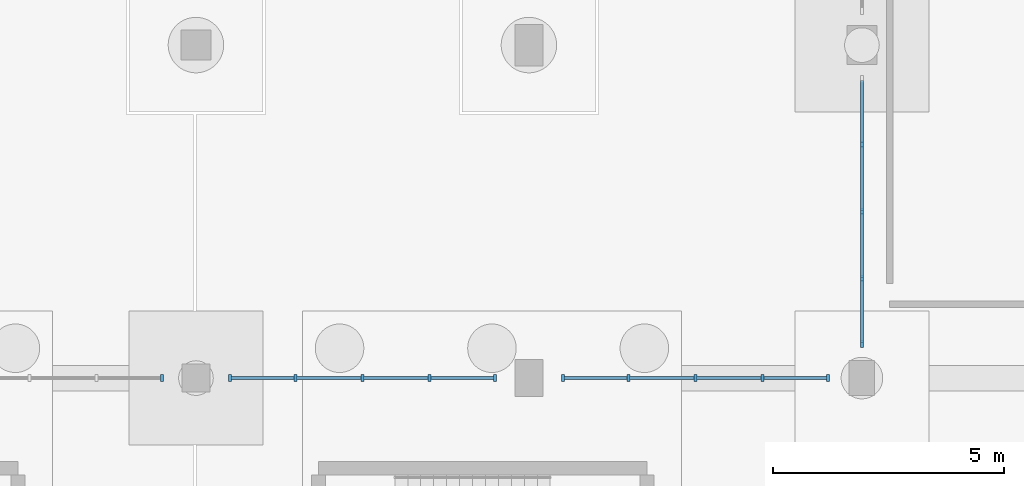
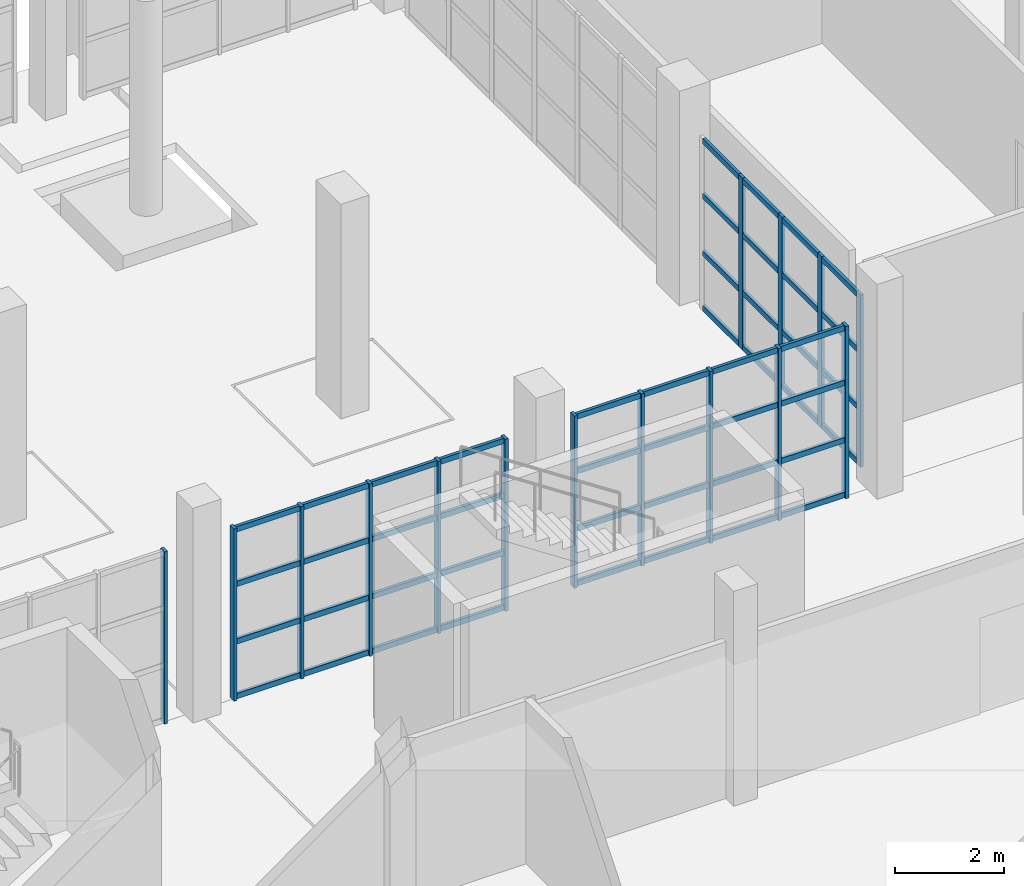
# One storey, part 111 of 285: 63 members, 4 elements without a shape of their own.
"""IFC4 building model written with IfcOpenShell, lengths in metres."""

from ifc_helpers import new_model, si_unit, direction, frame, origin, origin_2d, place, context, subcontext, project, spatial, rectangle, extrude, material, material_profile, profile_set, type_object, element, aggregate, save


model = new_model("IFC4")

# Units and contexts
model_context = context("Model", 3, precision=1e-05, world=origin(), true_north=direction((0.0, 1.0)))
body_context = subcontext(model_context, "Body", "Model", "MODEL_VIEW")
ifc_project = project(units=[si_unit("LENGTHUNIT", "METRE"), si_unit("AREAUNIT", "SQUARE_METRE"), si_unit("VOLUMEUNIT", "CUBIC_METRE"), si_unit("PLANEANGLEUNIT", "RADIAN"), si_unit("MASSUNIT", "GRAM", prefix="KILO")], contexts=[model_context])

# Site, building, storey
site_placement = place(None, origin())
site = spatial("IfcSite", under=ifc_project, at=site_placement, CompositionType="ELEMENT")
building_placement = place(site_placement, origin())
building = spatial("IfcBuilding", under=site, at=building_placement, Name="Solanera Park Tramway Depot", CompositionType="ELEMENT")
storey_placement = place(building_placement, origin())
storey = spatial("IfcBuildingStorey", under=building, at=storey_placement, Name="L00", CompositionType="ELEMENT", Elevation=0.0)

# Curtain wall, member
ifc_material_1 = material(Name="Bronze-anodised thermally broken aluminium curtain wall", Category="aluminium")
curtain_wall_type = type_object("IfcCurtainWallType", Name="Courtyard Cloister Unitised Curtain Wall", PredefinedType="NOTDEFINED", material=ifc_material_1)
curtain_wall_1_placement = place(storey_placement, origin())
curtain_wall_1 = element("IfcCurtainWall", 1, at=curtain_wall_1_placement, inside=storey, type_object=curtain_wall_type, Name="L00 Courtyard Cloister Unitised Curtain Wall #075", PredefinedType="NOTDEFINED")
ifc_material_2 = material(Name="Bronze-anodised structural aluminium 6063-T6", Category="aluminium")
ifc_material_profile_1 = material_profile(ifc_material_2, rectangle(XDim=0.06494140625, YDim=0.14990234375, at=origin_2d()), Name="Curtain Wall Mullion 65x150")
ifc_profile_set_1 = profile_set([ifc_material_profile_1], Name="Bronze-anodised structural aluminium 6063-T6")
member_type_1 = type_object("IfcMemberType", Name="Curtain Wall Mullion 65x150", PredefinedType="MULLION", material=ifc_profile_set_1)
member_1_placement = place(storey_placement, frame((150.467529296875, 25.199951171875, 0.0), z_axis=(0.0, 0.0, 1.0), x_axis=(1.0, 0.0, 0.0)))
member_1 = element("IfcMember", 2, at=member_1_placement, type_object=member_type_1, Name="CW-L00-075 Mullion 5", PredefinedType="MULLION", context=body_context, shape_type="SweptSolid", body=[
    extrude(rectangle(XDim=0.06494140625, YDim=0.14990234375, at=origin_2d()), origin(), (0.0, 0.0, 1.0), 3.85009765625),
])
aggregate(curtain_wall_1, [member_1])

# Curtain wall, members
curtain_wall_2_placement = place(storey_placement, origin())
curtain_wall_2 = element("IfcCurtainWall", 3, at=curtain_wall_2_placement, inside=storey, type_object=curtain_wall_type, Name="L00 Courtyard Cloister Unitised Curtain Wall #076", PredefinedType="NOTDEFINED")
member_2_placement = place(storey_placement, frame((151.9326171875, 25.199951171875, 0.0), z_axis=(0.0, 0.0, 1.0), x_axis=(1.0, 0.0, 0.0)))
member_2 = element("IfcMember", 4, at=member_2_placement, type_object=member_type_1, Name="CW-L00-076 Mullion 1", PredefinedType="MULLION", context=body_context, shape_type="SweptSolid", body=[
    extrude(rectangle(XDim=0.06494140625, YDim=0.14990234375, at=origin_2d()), origin(), (0.0, 0.0, 1.0), 3.85009765625),
])
member_3_placement = place(storey_placement, frame((153.35009765625, 25.199951171875, 0.0), z_axis=(0.0, 0.0, 1.0), x_axis=(1.0, 0.0, 0.0)))
member_3 = element("IfcMember", 5, at=member_3_placement, type_object=member_type_1, Name="CW-L00-076 Mullion 2", PredefinedType="MULLION", context=body_context, shape_type="SweptSolid", body=[
    extrude(rectangle(XDim=0.06494140625, YDim=0.14990234375, at=origin_2d()), origin(), (0.0, 0.0, 1.0), 3.85009765625),
])
member_4_placement = place(storey_placement, frame((154.800048828125, 25.199951171875, 0.0), z_axis=(0.0, 0.0, 1.0), x_axis=(1.0, 0.0, 0.0)))
member_4 = element("IfcMember", 6, at=member_4_placement, type_object=member_type_1, Name="CW-L00-076 Mullion 3", PredefinedType="MULLION", context=body_context, shape_type="SweptSolid", body=[
    extrude(rectangle(XDim=0.06494140625, YDim=0.14990234375, at=origin_2d()), origin(), (0.0, 0.0, 1.0), 3.85009765625),
])
member_5_placement = place(storey_placement, frame((156.25, 25.199951171875, 0.0), z_axis=(0.0, 0.0, 1.0), x_axis=(1.0, 0.0, 0.0)))
member_5 = element("IfcMember", 7, at=member_5_placement, type_object=member_type_1, Name="CW-L00-076 Mullion 4", PredefinedType="MULLION", context=body_context, shape_type="SweptSolid", body=[
    extrude(rectangle(XDim=0.06494140625, YDim=0.14990234375, at=origin_2d()), origin(), (0.0, 0.0, 1.0), 3.85009765625),
])
member_6_placement = place(storey_placement, frame((157.66748046875, 25.199951171875, 0.0), z_axis=(0.0, 0.0, 1.0), x_axis=(1.0, 0.0, 0.0)))
member_6 = element("IfcMember", 8, at=member_6_placement, type_object=member_type_1, Name="CW-L00-076 Mullion 5", PredefinedType="MULLION", context=body_context, shape_type="SweptSolid", body=[
    extrude(rectangle(XDim=0.06494140625, YDim=0.14990234375, at=origin_2d()), origin(), (0.0, 0.0, 1.0), 3.85009765625),
])

curtain_wall_3_placement = place(storey_placement, origin())
curtain_wall_3 = element("IfcCurtainWall", 9, at=curtain_wall_3_placement, inside=storey, type_object=curtain_wall_type, Name="L00 Courtyard Cloister Unitised Curtain Wall #077", PredefinedType="NOTDEFINED")
member_7_placement = place(storey_placement, frame((159.132568359375, 25.199951171875, 0.0), z_axis=(0.0, 0.0, 1.0), x_axis=(1.0, 0.0, 0.0)))
member_7 = element("IfcMember", 10, at=member_7_placement, type_object=member_type_1, Name="CW-L00-077 Mullion 1", PredefinedType="MULLION", context=body_context, shape_type="SweptSolid", body=[
    extrude(rectangle(XDim=0.06494140625, YDim=0.14990234375, at=origin_2d()), origin(), (0.0, 0.0, 1.0), 3.85009765625),
])
member_8_placement = place(storey_placement, frame((160.550048828125, 25.199951171875, 0.0), z_axis=(0.0, 0.0, 1.0), x_axis=(1.0, 0.0, 0.0)))
member_8 = element("IfcMember", 11, at=member_8_placement, type_object=member_type_1, Name="CW-L00-077 Mullion 2", PredefinedType="MULLION", context=body_context, shape_type="SweptSolid", body=[
    extrude(rectangle(XDim=0.06494140625, YDim=0.14990234375, at=origin_2d()), origin(), (0.0, 0.0, 1.0), 3.85009765625),
])
member_9_placement = place(storey_placement, frame((162.0, 25.199951171875, 0.0), z_axis=(0.0, 0.0, 1.0), x_axis=(1.0, 0.0, 0.0)))
member_9 = element("IfcMember", 12, at=member_9_placement, type_object=member_type_1, Name="CW-L00-077 Mullion 3", PredefinedType="MULLION", context=body_context, shape_type="SweptSolid", body=[
    extrude(rectangle(XDim=0.06494140625, YDim=0.14990234375, at=origin_2d()), origin(), (0.0, 0.0, 1.0), 3.85009765625),
])
member_10_placement = place(storey_placement, frame((163.449951171875, 25.199951171875, 0.0), z_axis=(0.0, 0.0, 1.0), x_axis=(1.0, 0.0, 0.0)))
member_10 = element("IfcMember", 13, at=member_10_placement, type_object=member_type_1, Name="CW-L00-077 Mullion 4", PredefinedType="MULLION", context=body_context, shape_type="SweptSolid", body=[
    extrude(rectangle(XDim=0.06494140625, YDim=0.14990234375, at=origin_2d()), origin(), (0.0, 0.0, 1.0), 3.85009765625),
])
member_11_placement = place(storey_placement, frame((164.867431640625, 25.199951171875, 0.0), z_axis=(0.0, 0.0, 1.0), x_axis=(1.0, 0.0, 0.0)))
member_11 = element("IfcMember", 14, at=member_11_placement, type_object=member_type_1, Name="CW-L00-077 Mullion 5", PredefinedType="MULLION", context=body_context, shape_type="SweptSolid", body=[
    extrude(rectangle(XDim=0.06494140625, YDim=0.14990234375, at=origin_2d()), origin(), (0.0, 0.0, 1.0), 3.85009765625),
])

curtain_wall_4_placement = place(storey_placement, origin())
curtain_wall_4 = element("IfcCurtainWall", 15, at=curtain_wall_4_placement, inside=storey, type_object=curtain_wall_type, Name="L00 Courtyard Cloister Unitised Curtain Wall #085", PredefinedType="NOTDEFINED")
member_12_placement = place(storey_placement, frame((165.60009765625, 30.25, 0.0), z_axis=(0.0, 0.0, 1.0), x_axis=(1.0, 0.0, 0.0)))
member_12 = element("IfcMember", 16, at=member_12_placement, type_object=member_type_1, Name="CW-L00-085 Mullion 2", PredefinedType="MULLION", context=body_context, shape_type="SweptSolid", body=[
    extrude(rectangle(XDim=0.06494140625, YDim=0.14990234375, at=origin_2d()), origin(), (0.0, 0.0, 1.0), 3.85009765625),
])
member_13_placement = place(storey_placement, frame((165.60009765625, 28.800048828125, 0.0), z_axis=(0.0, 0.0, 1.0), x_axis=(1.0, 0.0, 0.0)))
member_13 = element("IfcMember", 17, at=member_13_placement, type_object=member_type_1, Name="CW-L00-085 Mullion 3", PredefinedType="MULLION", context=body_context, shape_type="SweptSolid", body=[
    extrude(rectangle(XDim=0.06494140625, YDim=0.14990234375, at=origin_2d()), origin(), (0.0, 0.0, 1.0), 3.85009765625),
])
member_14_placement = place(storey_placement, frame((165.60009765625, 27.35009765625, 0.0), z_axis=(0.0, 0.0, 1.0), x_axis=(1.0, 0.0, 0.0)))
member_14 = element("IfcMember", 18, at=member_14_placement, type_object=member_type_1, Name="CW-L00-085 Mullion 4", PredefinedType="MULLION", context=body_context, shape_type="SweptSolid", body=[
    extrude(rectangle(XDim=0.06494140625, YDim=0.14990234375, at=origin_2d()), origin(), (0.0, 0.0, 1.0), 3.85009765625),
])
member_15_placement = place(storey_placement, frame((165.60009765625, 25.9326171875, 0.0), z_axis=(0.0, 0.0, 1.0), x_axis=(1.0, 0.0, 0.0)))
member_15 = element("IfcMember", 19, at=member_15_placement, type_object=member_type_1, Name="CW-L00-085 Mullion 5", PredefinedType="MULLION", context=body_context, shape_type="SweptSolid", body=[
    extrude(rectangle(XDim=0.06494140625, YDim=0.14990234375, at=origin_2d()), origin(), (0.0, 0.0, 1.0), 3.85009765625),
])

# Member
ifc_material_3 = material(Name="Bronze-anodised structural aluminium 6063-T6", Category="aluminium")
ifc_material_profile_2 = material_profile(ifc_material_3, rectangle(XDim=0.06494140625, YDim=0.1201171875, at=origin_2d()), Name="Curtain Wall Transom 65x120")
ifc_profile_set_2 = profile_set([ifc_material_profile_2], Name="Bronze-anodised structural aluminium 6063-T6")
member_type_2 = type_object("IfcMemberType", Name="Curtain Wall Transom 65x120", PredefinedType="USERDEFINED", material=ifc_profile_set_2)
member_16_placement = place(storey_placement, frame((151.96044921875, 25.199951171875, 0.06005859375), z_axis=(1.0, 0.0, 0.0), x_axis=(0.0, 1.0, 0.0)))
member_16 = element("IfcMember", 20, at=member_16_placement, type_object=member_type_2, Name="CW-L00-076 Transom R1.C1", ObjectType="TRANSOM", PredefinedType="USERDEFINED", context=body_context, shape_type="SweptSolid", body=[
    extrude(rectangle(XDim=0.06494140625, YDim=0.1201171875, at=origin_2d()), origin(), (0.0, 0.0, 1.0), 1.361572265625),
])

member_17_placement = place(storey_placement, frame((153.3779296875, 25.199951171875, 0.06005859375), z_axis=(1.0, 0.0, 0.0), x_axis=(0.0, 1.0, 0.0)))
member_17 = element("IfcMember", 21, at=member_17_placement, type_object=member_type_2, Name="CW-L00-076 Transom R1.C2", ObjectType="TRANSOM", PredefinedType="USERDEFINED", context=body_context, shape_type="SweptSolid", body=[
    extrude(rectangle(XDim=0.06494140625, YDim=0.1201171875, at=origin_2d()), origin(), (0.0, 0.0, 1.0), 1.39404296875),
])

member_18_placement = place(storey_placement, frame((154.827880859375, 25.199951171875, 0.06005859375), z_axis=(1.0, 0.0, 0.0), x_axis=(0.0, 1.0, 0.0)))
member_18 = element("IfcMember", 22, at=member_18_placement, type_object=member_type_2, Name="CW-L00-076 Transom R1.C3", ObjectType="TRANSOM", PredefinedType="USERDEFINED", context=body_context, shape_type="SweptSolid", body=[
    extrude(rectangle(XDim=0.06494140625, YDim=0.1201171875, at=origin_2d()), origin(), (0.0, 0.0, 1.0), 1.39404296875),
])

member_19_placement = place(storey_placement, frame((156.278076171875, 25.199951171875, 0.06005859375), z_axis=(1.0, 0.0, 0.0), x_axis=(0.0, 1.0, 0.0)))
member_19 = element("IfcMember", 23, at=member_19_placement, type_object=member_type_2, Name="CW-L00-076 Transom R1.C4", ObjectType="TRANSOM", PredefinedType="USERDEFINED", context=body_context, shape_type="SweptSolid", body=[
    extrude(rectangle(XDim=0.06494140625, YDim=0.1201171875, at=origin_2d()), origin(), (0.0, 0.0, 1.0), 1.361328125),
])

member_20_placement = place(storey_placement, frame((151.96044921875, 25.199951171875, 1.283203125), z_axis=(1.0, 0.0, 0.0), x_axis=(0.0, 1.0, 0.0)))
member_20 = element("IfcMember", 24, at=member_20_placement, type_object=member_type_2, Name="CW-L00-076 Transom R2.C1", ObjectType="TRANSOM", PredefinedType="USERDEFINED", context=body_context, shape_type="SweptSolid", body=[
    extrude(rectangle(XDim=0.06494140625, YDim=0.1201171875, at=origin_2d()), origin(), (0.0, 0.0, 1.0), 1.361572265625),
])

member_21_placement = place(storey_placement, frame((153.3779296875, 25.199951171875, 1.283203125), z_axis=(1.0, 0.0, 0.0), x_axis=(0.0, 1.0, 0.0)))
member_21 = element("IfcMember", 25, at=member_21_placement, type_object=member_type_2, Name="CW-L00-076 Transom R2.C2", ObjectType="TRANSOM", PredefinedType="USERDEFINED", context=body_context, shape_type="SweptSolid", body=[
    extrude(rectangle(XDim=0.06494140625, YDim=0.1201171875, at=origin_2d()), origin(), (0.0, 0.0, 1.0), 1.39404296875),
])

member_22_placement = place(storey_placement, frame((154.827880859375, 25.199951171875, 1.283203125), z_axis=(1.0, 0.0, 0.0), x_axis=(0.0, 1.0, 0.0)))
member_22 = element("IfcMember", 26, at=member_22_placement, type_object=member_type_2, Name="CW-L00-076 Transom R2.C3", ObjectType="TRANSOM", PredefinedType="USERDEFINED", context=body_context, shape_type="SweptSolid", body=[
    extrude(rectangle(XDim=0.06494140625, YDim=0.1201171875, at=origin_2d()), origin(), (0.0, 0.0, 1.0), 1.39404296875),
])

member_23_placement = place(storey_placement, frame((156.278076171875, 25.199951171875, 1.283203125), z_axis=(1.0, 0.0, 0.0), x_axis=(0.0, 1.0, 0.0)))
member_23 = element("IfcMember", 27, at=member_23_placement, type_object=member_type_2, Name="CW-L00-076 Transom R2.C4", ObjectType="TRANSOM", PredefinedType="USERDEFINED", context=body_context, shape_type="SweptSolid", body=[
    extrude(rectangle(XDim=0.06494140625, YDim=0.1201171875, at=origin_2d()), origin(), (0.0, 0.0, 1.0), 1.361328125),
])

member_24_placement = place(storey_placement, frame((151.96044921875, 25.199951171875, 2.566650390625), z_axis=(1.0, 0.0, 0.0), x_axis=(0.0, 1.0, 0.0)))
member_24 = element("IfcMember", 28, at=member_24_placement, type_object=member_type_2, Name="CW-L00-076 Transom R3.C1", ObjectType="TRANSOM", PredefinedType="USERDEFINED", context=body_context, shape_type="SweptSolid", body=[
    extrude(rectangle(XDim=0.06494140625, YDim=0.1201171875, at=origin_2d()), origin(), (0.0, 0.0, 1.0), 1.361572265625),
])

member_25_placement = place(storey_placement, frame((153.3779296875, 25.199951171875, 2.566650390625), z_axis=(1.0, 0.0, 0.0), x_axis=(0.0, 1.0, 0.0)))
member_25 = element("IfcMember", 29, at=member_25_placement, type_object=member_type_2, Name="CW-L00-076 Transom R3.C2", ObjectType="TRANSOM", PredefinedType="USERDEFINED", context=body_context, shape_type="SweptSolid", body=[
    extrude(rectangle(XDim=0.06494140625, YDim=0.1201171875, at=origin_2d()), origin(), (0.0, 0.0, 1.0), 1.39404296875),
])

member_26_placement = place(storey_placement, frame((154.827880859375, 25.199951171875, 2.566650390625), z_axis=(1.0, 0.0, 0.0), x_axis=(0.0, 1.0, 0.0)))
member_26 = element("IfcMember", 30, at=member_26_placement, type_object=member_type_2, Name="CW-L00-076 Transom R3.C3", ObjectType="TRANSOM", PredefinedType="USERDEFINED", context=body_context, shape_type="SweptSolid", body=[
    extrude(rectangle(XDim=0.06494140625, YDim=0.1201171875, at=origin_2d()), origin(), (0.0, 0.0, 1.0), 1.39404296875),
])

member_27_placement = place(storey_placement, frame((156.278076171875, 25.199951171875, 2.566650390625), z_axis=(1.0, 0.0, 0.0), x_axis=(0.0, 1.0, 0.0)))
member_27 = element("IfcMember", 31, at=member_27_placement, type_object=member_type_2, Name="CW-L00-076 Transom R3.C4", ObjectType="TRANSOM", PredefinedType="USERDEFINED", context=body_context, shape_type="SweptSolid", body=[
    extrude(rectangle(XDim=0.06494140625, YDim=0.1201171875, at=origin_2d()), origin(), (0.0, 0.0, 1.0), 1.361328125),
])

member_28_placement = place(storey_placement, frame((151.96044921875, 25.199951171875, 3.7900390625), z_axis=(1.0, 0.0, 0.0), x_axis=(0.0, 1.0, 0.0)))
member_28 = element("IfcMember", 32, at=member_28_placement, type_object=member_type_2, Name="CW-L00-076 Transom R4.C1", ObjectType="TRANSOM", PredefinedType="USERDEFINED", context=body_context, shape_type="SweptSolid", body=[
    extrude(rectangle(XDim=0.06494140625, YDim=0.1201171875, at=origin_2d()), origin(), (0.0, 0.0, 1.0), 1.361572265625),
])

member_29_placement = place(storey_placement, frame((153.3779296875, 25.199951171875, 3.7900390625), z_axis=(1.0, 0.0, 0.0), x_axis=(0.0, 1.0, 0.0)))
member_29 = element("IfcMember", 33, at=member_29_placement, type_object=member_type_2, Name="CW-L00-076 Transom R4.C2", ObjectType="TRANSOM", PredefinedType="USERDEFINED", context=body_context, shape_type="SweptSolid", body=[
    extrude(rectangle(XDim=0.06494140625, YDim=0.1201171875, at=origin_2d()), origin(), (0.0, 0.0, 1.0), 1.39404296875),
])

member_30_placement = place(storey_placement, frame((154.827880859375, 25.199951171875, 3.7900390625), z_axis=(1.0, 0.0, 0.0), x_axis=(0.0, 1.0, 0.0)))
member_30 = element("IfcMember", 34, at=member_30_placement, type_object=member_type_2, Name="CW-L00-076 Transom R4.C3", ObjectType="TRANSOM", PredefinedType="USERDEFINED", context=body_context, shape_type="SweptSolid", body=[
    extrude(rectangle(XDim=0.06494140625, YDim=0.1201171875, at=origin_2d()), origin(), (0.0, 0.0, 1.0), 1.39404296875),
])

member_31_placement = place(storey_placement, frame((156.278076171875, 25.199951171875, 3.7900390625), z_axis=(1.0, 0.0, 0.0), x_axis=(0.0, 1.0, 0.0)))
member_31 = element("IfcMember", 35, at=member_31_placement, type_object=member_type_2, Name="CW-L00-076 Transom R4.C4", ObjectType="TRANSOM", PredefinedType="USERDEFINED", context=body_context, shape_type="SweptSolid", body=[
    extrude(rectangle(XDim=0.06494140625, YDim=0.1201171875, at=origin_2d()), origin(), (0.0, 0.0, 1.0), 1.361328125),
])

aggregate(curtain_wall_2, [member_2, member_3, member_4, member_5, member_6, member_16, member_17, member_18, member_19, member_20, member_21, member_22, member_23, member_24, member_25, member_26, member_27, member_28, member_29, member_30, member_31])

member_32_placement = place(storey_placement, frame((159.160400390625, 25.199951171875, 0.06005859375), z_axis=(1.0, 0.0, 0.0), x_axis=(0.0, 1.0, 0.0)))
member_32 = element("IfcMember", 36, at=member_32_placement, type_object=member_type_2, Name="CW-L00-077 Transom R1.C1", ObjectType="TRANSOM", PredefinedType="USERDEFINED", context=body_context, shape_type="SweptSolid", body=[
    extrude(rectangle(XDim=0.06494140625, YDim=0.1201171875, at=origin_2d()), origin(), (0.0, 0.0, 1.0), 1.361572265625),
])

member_33_placement = place(storey_placement, frame((160.577880859375, 25.199951171875, 0.06005859375), z_axis=(1.0, 0.0, 0.0), x_axis=(0.0, 1.0, 0.0)))
member_33 = element("IfcMember", 37, at=member_33_placement, type_object=member_type_2, Name="CW-L00-077 Transom R1.C2", ObjectType="TRANSOM", PredefinedType="USERDEFINED", context=body_context, shape_type="SweptSolid", body=[
    extrude(rectangle(XDim=0.06494140625, YDim=0.1201171875, at=origin_2d()), origin(), (0.0, 0.0, 1.0), 1.39404296875),
])

member_34_placement = place(storey_placement, frame((162.028076171875, 25.199951171875, 0.06005859375), z_axis=(1.0, 0.0, 0.0), x_axis=(0.0, 1.0, 0.0)))
member_34 = element("IfcMember", 38, at=member_34_placement, type_object=member_type_2, Name="CW-L00-077 Transom R1.C3", ObjectType="TRANSOM", PredefinedType="USERDEFINED", context=body_context, shape_type="SweptSolid", body=[
    extrude(rectangle(XDim=0.06494140625, YDim=0.1201171875, at=origin_2d()), origin(), (0.0, 0.0, 1.0), 1.39404296875),
])

member_35_placement = place(storey_placement, frame((163.47802734375, 25.199951171875, 0.06005859375), z_axis=(1.0, 0.0, 0.0), x_axis=(0.0, 1.0, 0.0)))
member_35 = element("IfcMember", 39, at=member_35_placement, type_object=member_type_2, Name="CW-L00-077 Transom R1.C4", ObjectType="TRANSOM", PredefinedType="USERDEFINED", context=body_context, shape_type="SweptSolid", body=[
    extrude(rectangle(XDim=0.06494140625, YDim=0.1201171875, at=origin_2d()), origin(), (0.0, 0.0, 1.0), 1.361572265625),
])

member_36_placement = place(storey_placement, frame((159.160400390625, 25.199951171875, 1.283203125), z_axis=(1.0, 0.0, 0.0), x_axis=(0.0, 1.0, 0.0)))
member_36 = element("IfcMember", 40, at=member_36_placement, type_object=member_type_2, Name="CW-L00-077 Transom R2.C1", ObjectType="TRANSOM", PredefinedType="USERDEFINED", context=body_context, shape_type="SweptSolid", body=[
    extrude(rectangle(XDim=0.06494140625, YDim=0.1201171875, at=origin_2d()), origin(), (0.0, 0.0, 1.0), 1.361572265625),
])

member_37_placement = place(storey_placement, frame((160.577880859375, 25.199951171875, 1.283203125), z_axis=(1.0, 0.0, 0.0), x_axis=(0.0, 1.0, 0.0)))
member_37 = element("IfcMember", 41, at=member_37_placement, type_object=member_type_2, Name="CW-L00-077 Transom R2.C2", ObjectType="TRANSOM", PredefinedType="USERDEFINED", context=body_context, shape_type="SweptSolid", body=[
    extrude(rectangle(XDim=0.06494140625, YDim=0.1201171875, at=origin_2d()), origin(), (0.0, 0.0, 1.0), 1.39404296875),
])

member_38_placement = place(storey_placement, frame((162.028076171875, 25.199951171875, 1.283203125), z_axis=(1.0, 0.0, 0.0), x_axis=(0.0, 1.0, 0.0)))
member_38 = element("IfcMember", 42, at=member_38_placement, type_object=member_type_2, Name="CW-L00-077 Transom R2.C3", ObjectType="TRANSOM", PredefinedType="USERDEFINED", context=body_context, shape_type="SweptSolid", body=[
    extrude(rectangle(XDim=0.06494140625, YDim=0.1201171875, at=origin_2d()), origin(), (0.0, 0.0, 1.0), 1.39404296875),
])

member_39_placement = place(storey_placement, frame((163.47802734375, 25.199951171875, 1.283203125), z_axis=(1.0, 0.0, 0.0), x_axis=(0.0, 1.0, 0.0)))
member_39 = element("IfcMember", 43, at=member_39_placement, type_object=member_type_2, Name="CW-L00-077 Transom R2.C4", ObjectType="TRANSOM", PredefinedType="USERDEFINED", context=body_context, shape_type="SweptSolid", body=[
    extrude(rectangle(XDim=0.06494140625, YDim=0.1201171875, at=origin_2d()), origin(), (0.0, 0.0, 1.0), 1.361572265625),
])

member_40_placement = place(storey_placement, frame((159.160400390625, 25.199951171875, 2.566650390625), z_axis=(1.0, 0.0, 0.0), x_axis=(0.0, 1.0, 0.0)))
member_40 = element("IfcMember", 44, at=member_40_placement, type_object=member_type_2, Name="CW-L00-077 Transom R3.C1", ObjectType="TRANSOM", PredefinedType="USERDEFINED", context=body_context, shape_type="SweptSolid", body=[
    extrude(rectangle(XDim=0.06494140625, YDim=0.1201171875, at=origin_2d()), origin(), (0.0, 0.0, 1.0), 1.361572265625),
])

member_41_placement = place(storey_placement, frame((160.577880859375, 25.199951171875, 2.566650390625), z_axis=(1.0, 0.0, 0.0), x_axis=(0.0, 1.0, 0.0)))
member_41 = element("IfcMember", 45, at=member_41_placement, type_object=member_type_2, Name="CW-L00-077 Transom R3.C2", ObjectType="TRANSOM", PredefinedType="USERDEFINED", context=body_context, shape_type="SweptSolid", body=[
    extrude(rectangle(XDim=0.06494140625, YDim=0.1201171875, at=origin_2d()), origin(), (0.0, 0.0, 1.0), 1.39404296875),
])

member_42_placement = place(storey_placement, frame((162.028076171875, 25.199951171875, 2.566650390625), z_axis=(1.0, 0.0, 0.0), x_axis=(0.0, 1.0, 0.0)))
member_42 = element("IfcMember", 46, at=member_42_placement, type_object=member_type_2, Name="CW-L00-077 Transom R3.C3", ObjectType="TRANSOM", PredefinedType="USERDEFINED", context=body_context, shape_type="SweptSolid", body=[
    extrude(rectangle(XDim=0.06494140625, YDim=0.1201171875, at=origin_2d()), origin(), (0.0, 0.0, 1.0), 1.39404296875),
])

member_43_placement = place(storey_placement, frame((163.47802734375, 25.199951171875, 2.566650390625), z_axis=(1.0, 0.0, 0.0), x_axis=(0.0, 1.0, 0.0)))
member_43 = element("IfcMember", 47, at=member_43_placement, type_object=member_type_2, Name="CW-L00-077 Transom R3.C4", ObjectType="TRANSOM", PredefinedType="USERDEFINED", context=body_context, shape_type="SweptSolid", body=[
    extrude(rectangle(XDim=0.06494140625, YDim=0.1201171875, at=origin_2d()), origin(), (0.0, 0.0, 1.0), 1.361572265625),
])

member_44_placement = place(storey_placement, frame((159.160400390625, 25.199951171875, 3.7900390625), z_axis=(1.0, 0.0, 0.0), x_axis=(0.0, 1.0, 0.0)))
member_44 = element("IfcMember", 48, at=member_44_placement, type_object=member_type_2, Name="CW-L00-077 Transom R4.C1", ObjectType="TRANSOM", PredefinedType="USERDEFINED", context=body_context, shape_type="SweptSolid", body=[
    extrude(rectangle(XDim=0.06494140625, YDim=0.1201171875, at=origin_2d()), origin(), (0.0, 0.0, 1.0), 1.361572265625),
])

member_45_placement = place(storey_placement, frame((160.577880859375, 25.199951171875, 3.7900390625), z_axis=(1.0, 0.0, 0.0), x_axis=(0.0, 1.0, 0.0)))
member_45 = element("IfcMember", 49, at=member_45_placement, type_object=member_type_2, Name="CW-L00-077 Transom R4.C2", ObjectType="TRANSOM", PredefinedType="USERDEFINED", context=body_context, shape_type="SweptSolid", body=[
    extrude(rectangle(XDim=0.06494140625, YDim=0.1201171875, at=origin_2d()), origin(), (0.0, 0.0, 1.0), 1.39404296875),
])

member_46_placement = place(storey_placement, frame((162.028076171875, 25.199951171875, 3.7900390625), z_axis=(1.0, 0.0, 0.0), x_axis=(0.0, 1.0, 0.0)))
member_46 = element("IfcMember", 50, at=member_46_placement, type_object=member_type_2, Name="CW-L00-077 Transom R4.C3", ObjectType="TRANSOM", PredefinedType="USERDEFINED", context=body_context, shape_type="SweptSolid", body=[
    extrude(rectangle(XDim=0.06494140625, YDim=0.1201171875, at=origin_2d()), origin(), (0.0, 0.0, 1.0), 1.39404296875),
])

member_47_placement = place(storey_placement, frame((163.47802734375, 25.199951171875, 3.7900390625), z_axis=(1.0, 0.0, 0.0), x_axis=(0.0, 1.0, 0.0)))
member_47 = element("IfcMember", 51, at=member_47_placement, type_object=member_type_2, Name="CW-L00-077 Transom R4.C4", ObjectType="TRANSOM", PredefinedType="USERDEFINED", context=body_context, shape_type="SweptSolid", body=[
    extrude(rectangle(XDim=0.06494140625, YDim=0.1201171875, at=origin_2d()), origin(), (0.0, 0.0, 1.0), 1.361572265625),
])

aggregate(curtain_wall_3, [member_7, member_8, member_9, member_10, member_11, member_32, member_33, member_34, member_35, member_36, member_37, member_38, member_39, member_40, member_41, member_42, member_43, member_44, member_45, member_46, member_47])

member_48_placement = place(storey_placement, frame((165.60009765625, 31.639404296875, 0.06005859375), z_axis=(0.0, -1.0, 0.0), x_axis=(1.0, 0.0, 0.0)))
member_48 = element("IfcMember", 52, at=member_48_placement, type_object=member_type_2, Name="CW-L00-085 Transom R1.C1", ObjectType="TRANSOM", PredefinedType="USERDEFINED", context=body_context, shape_type="SweptSolid", body=[
    extrude(rectangle(XDim=0.06494140625, YDim=0.1201171875, at=origin_2d()), origin(), (0.0, 0.0, 1.0), 1.361328125),
])

member_49_placement = place(storey_placement, frame((165.60009765625, 30.221923828125, 0.06005859375), z_axis=(0.0, -1.0, 0.0), x_axis=(1.0, 0.0, 0.0)))
member_49 = element("IfcMember", 53, at=member_49_placement, type_object=member_type_2, Name="CW-L00-085 Transom R1.C2", ObjectType="TRANSOM", PredefinedType="USERDEFINED", context=body_context, shape_type="SweptSolid", body=[
    extrude(rectangle(XDim=0.06494140625, YDim=0.1201171875, at=origin_2d()), origin(), (0.0, 0.0, 1.0), 1.39404296875),
])

member_50_placement = place(storey_placement, frame((165.60009765625, 28.77197265625, 0.06005859375), z_axis=(0.0, -1.0, 0.0), x_axis=(1.0, 0.0, 0.0)))
member_50 = element("IfcMember", 54, at=member_50_placement, type_object=member_type_2, Name="CW-L00-085 Transom R1.C3", ObjectType="TRANSOM", PredefinedType="USERDEFINED", context=body_context, shape_type="SweptSolid", body=[
    extrude(rectangle(XDim=0.06494140625, YDim=0.1201171875, at=origin_2d()), origin(), (0.0, 0.0, 1.0), 1.39404296875),
])

member_51_placement = place(storey_placement, frame((165.60009765625, 27.322021484375, 0.06005859375), z_axis=(0.0, -1.0, 0.0), x_axis=(1.0, 0.0, 0.0)))
member_51 = element("IfcMember", 55, at=member_51_placement, type_object=member_type_2, Name="CW-L00-085 Transom R1.C4", ObjectType="TRANSOM", PredefinedType="USERDEFINED", context=body_context, shape_type="SweptSolid", body=[
    extrude(rectangle(XDim=0.06494140625, YDim=0.1201171875, at=origin_2d()), origin(), (0.0, 0.0, 1.0), 1.361572265625),
])

member_52_placement = place(storey_placement, frame((165.60009765625, 31.639404296875, 1.283203125), z_axis=(0.0, -1.0, 0.0), x_axis=(1.0, 0.0, 0.0)))
member_52 = element("IfcMember", 56, at=member_52_placement, type_object=member_type_2, Name="CW-L00-085 Transom R2.C1", ObjectType="TRANSOM", PredefinedType="USERDEFINED", context=body_context, shape_type="SweptSolid", body=[
    extrude(rectangle(XDim=0.06494140625, YDim=0.1201171875, at=origin_2d()), origin(), (0.0, 0.0, 1.0), 1.361328125),
])

member_53_placement = place(storey_placement, frame((165.60009765625, 30.221923828125, 1.283203125), z_axis=(0.0, -1.0, 0.0), x_axis=(1.0, 0.0, 0.0)))
member_53 = element("IfcMember", 57, at=member_53_placement, type_object=member_type_2, Name="CW-L00-085 Transom R2.C2", ObjectType="TRANSOM", PredefinedType="USERDEFINED", context=body_context, shape_type="SweptSolid", body=[
    extrude(rectangle(XDim=0.06494140625, YDim=0.1201171875, at=origin_2d()), origin(), (0.0, 0.0, 1.0), 1.39404296875),
])

member_54_placement = place(storey_placement, frame((165.60009765625, 28.77197265625, 1.283203125), z_axis=(0.0, -1.0, 0.0), x_axis=(1.0, 0.0, 0.0)))
member_54 = element("IfcMember", 58, at=member_54_placement, type_object=member_type_2, Name="CW-L00-085 Transom R2.C3", ObjectType="TRANSOM", PredefinedType="USERDEFINED", context=body_context, shape_type="SweptSolid", body=[
    extrude(rectangle(XDim=0.06494140625, YDim=0.1201171875, at=origin_2d()), origin(), (0.0, 0.0, 1.0), 1.39404296875),
])

member_55_placement = place(storey_placement, frame((165.60009765625, 27.322021484375, 1.283203125), z_axis=(0.0, -1.0, 0.0), x_axis=(1.0, 0.0, 0.0)))
member_55 = element("IfcMember", 59, at=member_55_placement, type_object=member_type_2, Name="CW-L00-085 Transom R2.C4", ObjectType="TRANSOM", PredefinedType="USERDEFINED", context=body_context, shape_type="SweptSolid", body=[
    extrude(rectangle(XDim=0.06494140625, YDim=0.1201171875, at=origin_2d()), origin(), (0.0, 0.0, 1.0), 1.361572265625),
])

member_56_placement = place(storey_placement, frame((165.60009765625, 31.639404296875, 2.566650390625), z_axis=(0.0, -1.0, 0.0), x_axis=(1.0, 0.0, 0.0)))
member_56 = element("IfcMember", 60, at=member_56_placement, type_object=member_type_2, Name="CW-L00-085 Transom R3.C1", ObjectType="TRANSOM", PredefinedType="USERDEFINED", context=body_context, shape_type="SweptSolid", body=[
    extrude(rectangle(XDim=0.06494140625, YDim=0.1201171875, at=origin_2d()), origin(), (0.0, 0.0, 1.0), 1.361328125),
])

member_57_placement = place(storey_placement, frame((165.60009765625, 30.221923828125, 2.566650390625), z_axis=(0.0, -1.0, 0.0), x_axis=(1.0, 0.0, 0.0)))
member_57 = element("IfcMember", 61, at=member_57_placement, type_object=member_type_2, Name="CW-L00-085 Transom R3.C2", ObjectType="TRANSOM", PredefinedType="USERDEFINED", context=body_context, shape_type="SweptSolid", body=[
    extrude(rectangle(XDim=0.06494140625, YDim=0.1201171875, at=origin_2d()), origin(), (0.0, 0.0, 1.0), 1.39404296875),
])

member_58_placement = place(storey_placement, frame((165.60009765625, 28.77197265625, 2.566650390625), z_axis=(0.0, -1.0, 0.0), x_axis=(1.0, 0.0, 0.0)))
member_58 = element("IfcMember", 62, at=member_58_placement, type_object=member_type_2, Name="CW-L00-085 Transom R3.C3", ObjectType="TRANSOM", PredefinedType="USERDEFINED", context=body_context, shape_type="SweptSolid", body=[
    extrude(rectangle(XDim=0.06494140625, YDim=0.1201171875, at=origin_2d()), origin(), (0.0, 0.0, 1.0), 1.39404296875),
])

member_59_placement = place(storey_placement, frame((165.60009765625, 27.322021484375, 2.566650390625), z_axis=(0.0, -1.0, 0.0), x_axis=(1.0, 0.0, 0.0)))
member_59 = element("IfcMember", 63, at=member_59_placement, type_object=member_type_2, Name="CW-L00-085 Transom R3.C4", ObjectType="TRANSOM", PredefinedType="USERDEFINED", context=body_context, shape_type="SweptSolid", body=[
    extrude(rectangle(XDim=0.06494140625, YDim=0.1201171875, at=origin_2d()), origin(), (0.0, 0.0, 1.0), 1.361572265625),
])

member_60_placement = place(storey_placement, frame((165.60009765625, 31.639404296875, 3.7900390625), z_axis=(0.0, -1.0, 0.0), x_axis=(1.0, 0.0, 0.0)))
member_60 = element("IfcMember", 64, at=member_60_placement, type_object=member_type_2, Name="CW-L00-085 Transom R4.C1", ObjectType="TRANSOM", PredefinedType="USERDEFINED", context=body_context, shape_type="SweptSolid", body=[
    extrude(rectangle(XDim=0.06494140625, YDim=0.1201171875, at=origin_2d()), origin(), (0.0, 0.0, 1.0), 1.361328125),
])

member_61_placement = place(storey_placement, frame((165.60009765625, 30.221923828125, 3.7900390625), z_axis=(0.0, -1.0, 0.0), x_axis=(1.0, 0.0, 0.0)))
member_61 = element("IfcMember", 65, at=member_61_placement, type_object=member_type_2, Name="CW-L00-085 Transom R4.C2", ObjectType="TRANSOM", PredefinedType="USERDEFINED", context=body_context, shape_type="SweptSolid", body=[
    extrude(rectangle(XDim=0.06494140625, YDim=0.1201171875, at=origin_2d()), origin(), (0.0, 0.0, 1.0), 1.39404296875),
])

member_62_placement = place(storey_placement, frame((165.60009765625, 28.77197265625, 3.7900390625), z_axis=(0.0, -1.0, 0.0), x_axis=(1.0, 0.0, 0.0)))
member_62 = element("IfcMember", 66, at=member_62_placement, type_object=member_type_2, Name="CW-L00-085 Transom R4.C3", ObjectType="TRANSOM", PredefinedType="USERDEFINED", context=body_context, shape_type="SweptSolid", body=[
    extrude(rectangle(XDim=0.06494140625, YDim=0.1201171875, at=origin_2d()), origin(), (0.0, 0.0, 1.0), 1.39404296875),
])

member_63_placement = place(storey_placement, frame((165.60009765625, 27.322021484375, 3.7900390625), z_axis=(0.0, -1.0, 0.0), x_axis=(1.0, 0.0, 0.0)))
member_63 = element("IfcMember", 67, at=member_63_placement, type_object=member_type_2, Name="CW-L00-085 Transom R4.C4", ObjectType="TRANSOM", PredefinedType="USERDEFINED", context=body_context, shape_type="SweptSolid", body=[
    extrude(rectangle(XDim=0.06494140625, YDim=0.1201171875, at=origin_2d()), origin(), (0.0, 0.0, 1.0), 1.361572265625),
])

aggregate(curtain_wall_4, [member_12, member_13, member_14, member_15, member_48, member_49, member_50, member_51, member_52, member_53, member_54, member_55, member_56, member_57, member_58, member_59, member_60, member_61, member_62, member_63])

save(model, "model.ifc")
